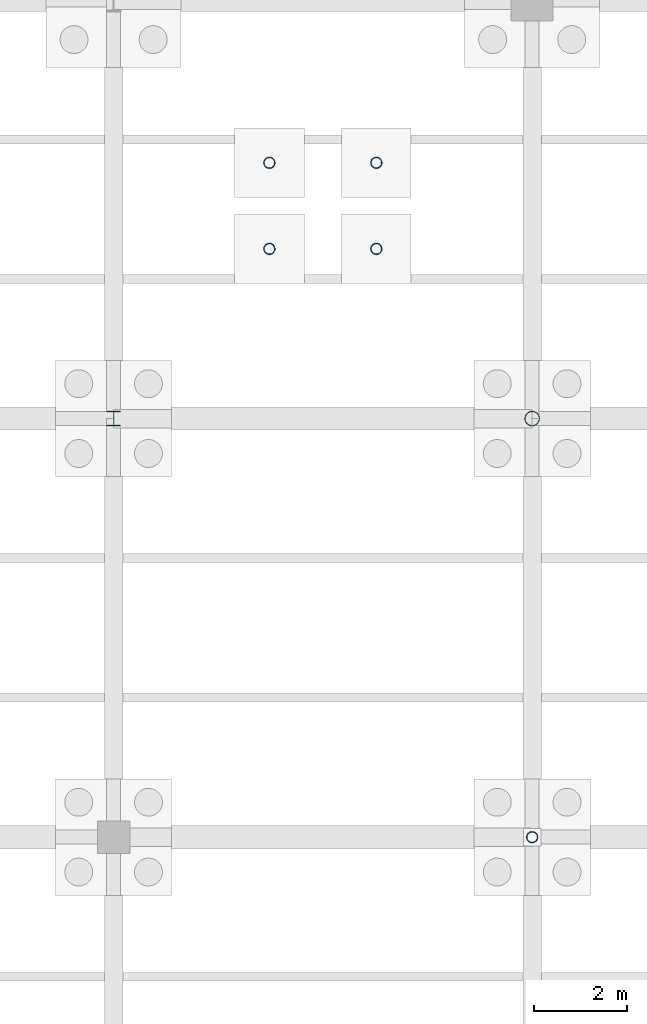
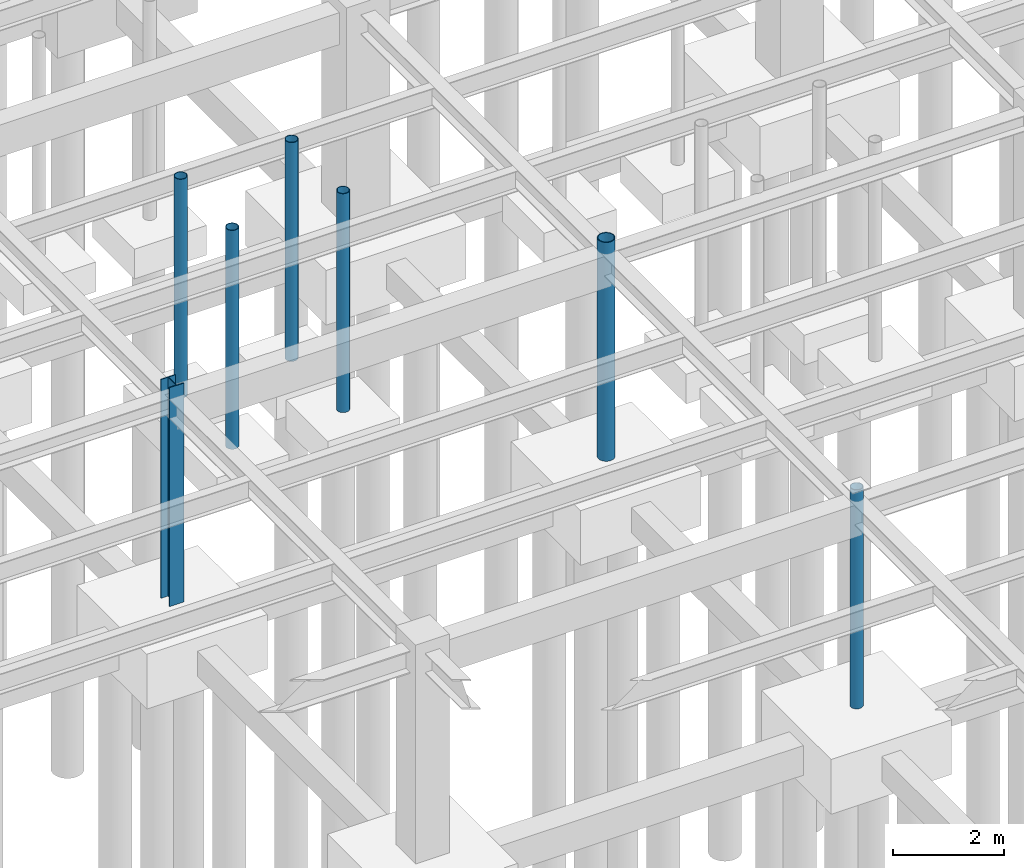
# One storey, part 22 of 49: 7 columns.
"""IFC4 building model written with IfcOpenShell, lengths in metres."""

from ifc_helpers import new_model, si_unit, direction, frame, origin, origin_2d, place, context, subcontext, project, spatial, hollow_circle, i_section, extrude, material, material_profile, profile_set, type_object, element, save


model = new_model("IFC4")

# Units and contexts
model_context = context("Model", 3, precision=1e-05, world=origin(), true_north=direction((0.0, 1.0)))
body_context = subcontext(model_context, "Body", "Model", "MODEL_VIEW")
ifc_project = project(units=[si_unit("LENGTHUNIT", "METRE"), si_unit("AREAUNIT", "SQUARE_METRE"), si_unit("VOLUMEUNIT", "CUBIC_METRE"), si_unit("PLANEANGLEUNIT", "RADIAN"), si_unit("MASSUNIT", "GRAM", prefix="KILO")], contexts=[model_context])

# Site, building, storey
site_placement = place(None, origin())
site = spatial("IfcSite", under=ifc_project, at=site_placement, CompositionType="ELEMENT")
building_placement = place(site_placement, origin())
building = spatial("IfcBuilding", under=site, at=building_placement, Name="Lykobir Media Centre", CompositionType="ELEMENT")
storey_placement = place(building_placement, frame((0.0, 0.0, -4.800048828125)))
storey = spatial("IfcBuildingStorey", under=building, at=storey_placement, Name="B1", CompositionType="ELEMENT", Elevation=-4.800048828125)

# Columns
ifc_material = material(Name="Steel S355", Category="steel")
ifc_material_profile_1 = material_profile(ifc_material, hollow_circle(Radius=0.122314453125, WallThickness=0.012451171875, at=origin_2d()), Name="CHS 244.5x12.5")
ifc_profile_set_1 = profile_set([ifc_material_profile_1], Name="Steel S355")
column_type_1 = type_object("IfcColumnType", Name="SC-CHS244", PredefinedType="COLUMN", material=ifc_profile_set_1)
for number, where, z_axis, x_axis, name in (
    (1, (63.0, 81.0, 0.0), (0.0, 0.0, 1.0), (1.0, 0.0, 0.0), "Column COL-B1-0630-0810"),
    (2, (57.35009765625, 93.64990234375, 0.0), (0.0, 0.0, 1.0), (1.0, 0.0, 0.0), "Valley stair column B1 3-574-936"),
    (3, (57.35009765625, 95.5, 0.0), (0.0, 0.0, 1.0), (1.0, 0.0, 0.0), "Valley stair column B1 3-574-955"),
    (4, (59.64990234375, 93.64990234375, 0.0), (0.0, 0.0, 1.0), (1.0, 0.0, 0.0), "Valley stair column B1 3-596-936"),
    (5, (59.64990234375, 95.5, 0.0), (0.0, 0.0, 1.0), (1.0, 0.0, 0.0), "Valley stair column B1 3-596-955"),
):
    element("IfcColumn", number, at=place(storey_placement, frame(where, z_axis=z_axis, x_axis=x_axis)), inside=storey, type_object=column_type_1, Name=name, PredefinedType="COLUMN", context=body_context, shape_type="SweptSolid", body=[
        extrude(hollow_circle(Radius=0.122314453125, WallThickness=0.012451171875, at=origin_2d()), origin(), (0.0, 0.0, 1.0), 4.800048828125),
    ])
ifc_material_profile_2 = material_profile(ifc_material, hollow_circle(Radius=0.161865234375, WallThickness=0.01611328125, at=origin_2d()), Name="CHS 323.9x16.0")
ifc_profile_set_2 = profile_set([ifc_material_profile_2], Name="Steel S355")
column_type_2 = type_object("IfcColumnType", Name="SC-CHS324", PredefinedType="COLUMN", material=ifc_profile_set_2)
column_1_placement = place(storey_placement, frame((63.0, 90.0, 0.0), z_axis=(0.0, 0.0, 1.0), x_axis=(1.0, 0.0, 0.0)))
element("IfcColumn", 6, at=column_1_placement, inside=storey, type_object=column_type_2, Name="Column COL-B1-0630-0900", PredefinedType="COLUMN", context=body_context, shape_type="SweptSolid", body=[
    extrude(hollow_circle(Radius=0.161865234375, WallThickness=0.01611328125, at=origin_2d()), origin(), (0.0, 0.0, 1.0), 4.800048828125),
])
ifc_material_profile_3 = material_profile(ifc_material, i_section(OverallWidth=0.300048828125, OverallDepth=0.320068359375, WebThickness=0.011474609375, FlangeThickness=0.0205078125, at=origin_2d()), Name="HEB 320")
ifc_profile_set_3 = profile_set([ifc_material_profile_3], Name="Steel S355")
column_type_3 = type_object("IfcColumnType", Name="SC-HEB320", PredefinedType="COLUMN", material=ifc_profile_set_3)
column_2_placement = place(storey_placement, frame((54.0, 90.0, 0.0), z_axis=(0.0, 0.0, 1.0), x_axis=(1.0, 0.0, 0.0)))
element("IfcColumn", 7, at=column_2_placement, inside=storey, type_object=column_type_3, Name="Column COL-B1-0540-0900", PredefinedType="COLUMN", context=body_context, shape_type="SweptSolid", body=[
    extrude(i_section(OverallWidth=0.300048828125, OverallDepth=0.320068359375, WebThickness=0.011474609375, FlangeThickness=0.0205078125, at=origin_2d()), origin(), (0.0, 0.0, 1.0), 4.800048828125),
])

save(model, "model.ifc")
